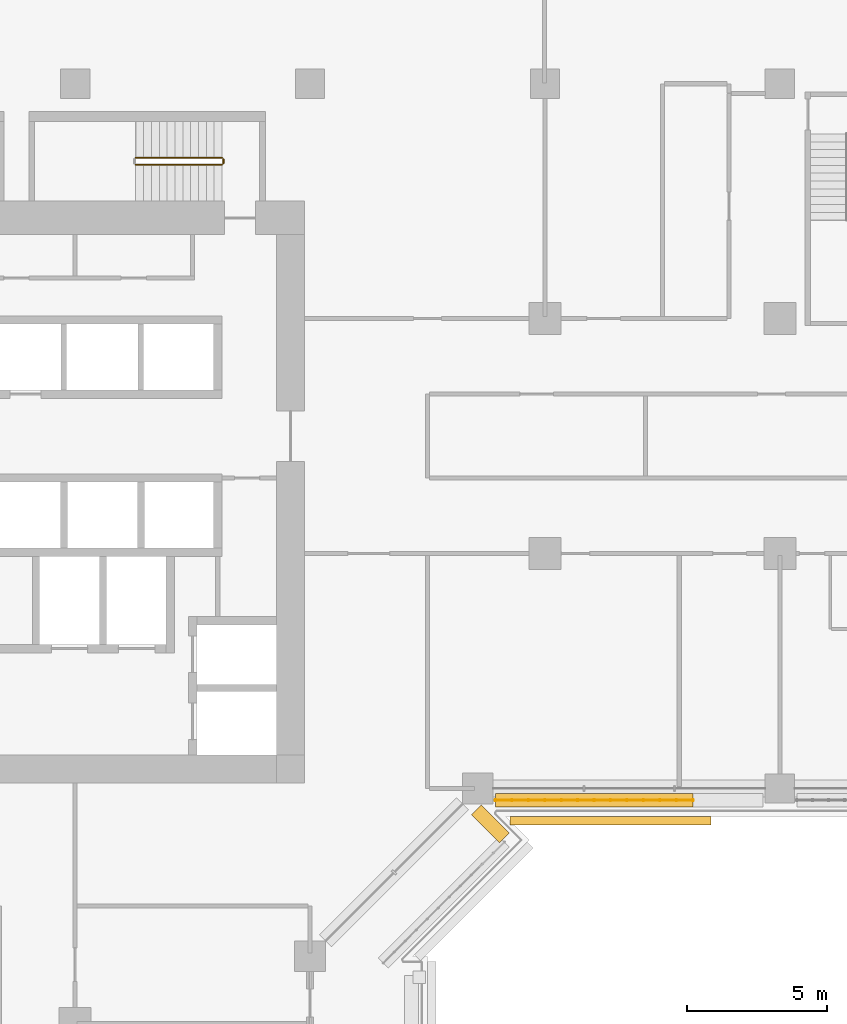
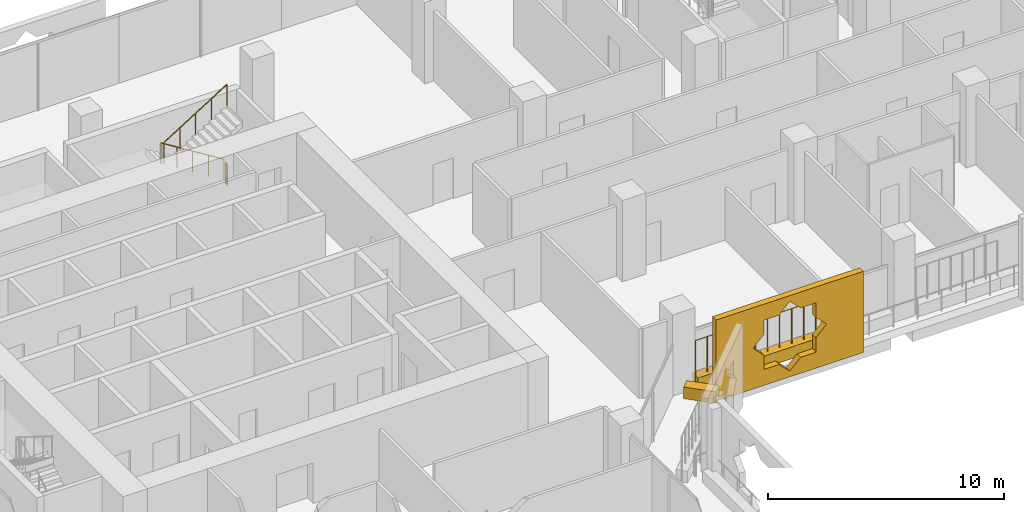
# One storey, part 22 of 25: 4 railings, 3 coverings.
"""IFC4 building model written with IfcOpenShell, lengths in metres."""

from ifc_helpers import new_model, si_unit, direction, frame, origin, origin_2d, place, context, subcontext, project, spatial, polyline, rectangle, circle, outline, extrude, material, material_profile, profile_set, type_object, element, save


model = new_model("IFC4")

# Units and contexts
model_context = context("Model", 3, precision=1e-05, world=origin(), true_north=direction((0.0, 1.0)))
body_context = subcontext(model_context, "Body", "Model", "MODEL_VIEW")
ifc_project = project(units=[si_unit("LENGTHUNIT", "METRE"), si_unit("AREAUNIT", "SQUARE_METRE"), si_unit("VOLUMEUNIT", "CUBIC_METRE"), si_unit("PLANEANGLEUNIT", "RADIAN"), si_unit("MASSUNIT", "GRAM", prefix="KILO")], contexts=[model_context])

# Site, building, storey
site_placement = place(None, origin())
site = spatial("IfcSite", under=ifc_project, at=site_placement, CompositionType="ELEMENT")
building_placement = place(site_placement, origin())
building = spatial("IfcBuilding", under=site, at=building_placement, Name="Kawkab Arch Medical Tower", CompositionType="ELEMENT")
storey_placement = place(building_placement, frame((0.0, 0.0, 145.0)))
storey = spatial("IfcBuildingStorey", under=building, at=storey_placement, Name="L33", CompositionType="ELEMENT", Elevation=145.0)

# Coverings
ifc_material_1 = material(Name="Bronze anodised aluminium mashrabiya panel, eight-point star pattern", Category="aluminium")
ifc_material_profile_1 = material_profile(ifc_material_1, outline(polyline([(-3.60009765625, -2.10009765625), (3.60009765625, -2.10009765625), (3.60009765625, 2.10009765625), (-3.60009765625, 2.10009765625), (-3.60009765625, -2.10009765625)]), holes=[polyline([(1.800048828125, 0.0), (1.272705078125, 0.527099609375), (1.272705078125, 1.272705078125), (0.527099609375, 1.272705078125), (0.0, 1.800048828125), (-0.527099609375, 1.272705078125), (-1.272705078125, 1.272705078125), (-1.272705078125, 0.527099609375), (-1.800048828125, 0.0), (-1.272705078125, -0.527099609375), (-1.272705078125, -1.272705078125), (-0.527099609375, -1.272705078125), (0.0, -1.800048828125), (0.527099609375, -1.272705078125), (1.272705078125, -1.272705078125), (1.272705078125, -0.527099609375), (1.800048828125, 0.0)])]), Name="Mashrabiya panel 7200x4200")
ifc_profile_set_1 = profile_set([ifc_material_profile_1], Name="Bronze anodised aluminium mashrabiya panel, eight-point star pattern")
covering_type_1 = type_object("IfcCoveringType", Name="Mashrabiya panel 7200 x 4200", PredefinedType="USERDEFINED", material=ifc_profile_set_1)
covering_1_placement = place(storey_placement, frame((35.944580078125, -26.199951171875, 1.699951171875), z_axis=(0.0, -1.0, 0.0), x_axis=(1.0, 0.0, 0.0)))
element("IfcCovering", 1, at=covering_1_placement, inside=storey, type_object=covering_type_1, Name="Mashrabiya panel L33.LOG-01-01.13", ObjectType="SCREEN", PredefinedType="USERDEFINED", context=body_context, shape_type="SweptSolid", body=[
    extrude(outline(polyline([(-3.60009765625, -2.10009765625), (3.60009765625, -2.10009765625), (3.60009765625, 2.10009765625), (-3.60009765625, 2.10009765625), (-3.60009765625, -2.10009765625)]), holes=[polyline([(1.800048828125, 0.0), (1.272705078125, 0.527099609375), (1.272705078125, 1.272705078125), (0.527099609375, 1.272705078125), (0.0, 1.800048828125), (-0.527099609375, 1.272705078125), (-1.272705078125, 1.272705078125), (-1.272705078125, 0.527099609375), (-1.800048828125, 0.0), (-1.272705078125, -0.527099609375), (-1.272705078125, -1.272705078125), (-0.527099609375, -1.272705078125), (0.0, -1.800048828125), (0.527099609375, -1.272705078125), (1.272705078125, -1.272705078125), (1.272705078125, -0.527099609375), (1.800048828125, 0.0)])]), origin(), (0.0, 0.0, 1.0), 0.300048828125),
])
ifc_material_2 = material(Name="Planting soil in a precast trough", Category="concrete")
ifc_material_profile_2 = material_profile(ifc_material_2, rectangle(XDim=0.5, YDim=0.60009765625, at=origin_2d()), Name="Trough 500x600")
ifc_profile_set_2 = profile_set([ifc_material_profile_2], Name="Planting soil in a precast trough")
covering_type_2 = type_object("IfcCoveringType", Name="Planter trough 500 x 600", PredefinedType="USERDEFINED", material=ifc_profile_set_2)
covering_2_placement = place(storey_placement, frame((38.89306640625, -25.6201171875, 0.300048828125), z_axis=(-1.0, 0.0, 0.0), x_axis=(0.0, -1.0, 0.0)))
element("IfcCovering", 2, at=covering_2_placement, inside=storey, type_object=covering_type_2, Name="Planter L33.LOG-01-01.41", ObjectType="PLANTER", PredefinedType="USERDEFINED", context=body_context, shape_type="SweptSolid", body=[
    extrude(rectangle(XDim=0.5, YDim=0.60009765625, at=origin_2d()), origin(), (0.0, 0.0, 1.0), 7.06298828125),
])
covering_3_placement = place(storey_placement, frame((31.14306640625, -25.962890625, 0.300048828125), z_axis=(0.707020805532, -0.707192746389, 0.0), x_axis=(0.707192746389, 0.707020805532, 0.0)))
element("IfcCovering", 3, at=covering_3_placement, inside=storey, type_object=covering_type_2, Name="Planter L33.LOG-01-01.42", ObjectType="PLANTER", PredefinedType="USERDEFINED", context=body_context, shape_type="SweptSolid", body=[
    extrude(rectangle(XDim=0.5, YDim=0.60009765625, at=origin_2d()), origin(), (0.0, 0.0, 1.0), 1.419921875),
])

# Railings
ifc_material_3 = material(Name="Bronze anodised aluminium trellis for climbing plants", Category="aluminium")
railing_type_1 = type_object("IfcRailingType", Name="Planting trellis 2400", PredefinedType="USERDEFINED", material=ifc_material_3)
railing_1_placement = place(storey_placement, frame((38.89306640625, -25.6201171875, 0.0)))
element("IfcRailing", 4, at=railing_1_placement, inside=storey, type_object=railing_type_1, Name="Planting trellis L33.LOG-01-01.41", ObjectType="TRELLIS", PredefinedType="USERDEFINED", context=body_context, shape_type="SweptSolid", body=[
    extrude(circle(Radius=0.01513671875, at=origin_2d()), frame((0.0, 0.0, 2.384765625), z_axis=(-1.0, 0.0, 0.0), x_axis=(0.0, -1.0, 0.0)), (0.0, 0.0, 1.0), 7.06298828125),
    extrude(circle(Radius=0.030029296875, at=origin_2d()), origin(), (0.0, 0.0, 1.0), 2.369873046875),
    extrude(circle(Radius=0.030029296875, at=origin_2d()), frame((-0.588623046875, 0.0, 0.0)), (0.0, 0.0, 1.0), 2.369873046875),
    extrude(circle(Radius=0.030029296875, at=origin_2d()), frame((-1.17724609375, 0.0, 0.0)), (0.0, 0.0, 1.0), 2.369873046875),
    extrude(circle(Radius=0.030029296875, at=origin_2d()), frame((-1.765625, 0.0, 0.0)), (0.0, 0.0, 1.0), 2.369873046875),
    extrude(circle(Radius=0.030029296875, at=origin_2d()), frame((-2.354248046875, 0.0, 0.0)), (0.0, 0.0, 1.0), 2.369873046875),
    extrude(circle(Radius=0.030029296875, at=origin_2d()), frame((-2.94287109375, 0.0, 0.0)), (0.0, 0.0, 1.0), 2.369873046875),
    extrude(circle(Radius=0.030029296875, at=origin_2d()), frame((-3.531494140625, 0.0, 0.0)), (0.0, 0.0, 1.0), 2.369873046875),
    extrude(circle(Radius=0.030029296875, at=origin_2d()), frame((-4.1201171875, 0.0, 0.0)), (0.0, 0.0, 1.0), 2.369873046875),
    extrude(circle(Radius=0.030029296875, at=origin_2d()), frame((-4.708740234375, 0.0, 0.0)), (0.0, 0.0, 1.0), 2.369873046875),
    extrude(circle(Radius=0.030029296875, at=origin_2d()), frame((-5.29736328125, 0.0, 0.0)), (0.0, 0.0, 1.0), 2.369873046875),
    extrude(circle(Radius=0.030029296875, at=origin_2d()), frame((-5.8857421875, 0.0, 0.0)), (0.0, 0.0, 1.0), 2.369873046875),
    extrude(circle(Radius=0.030029296875, at=origin_2d()), frame((-6.474365234375, 0.0, 0.0)), (0.0, 0.0, 1.0), 2.369873046875),
    extrude(circle(Radius=0.030029296875, at=origin_2d()), frame((-7.06298828125, 0.0, 0.0)), (0.0, 0.0, 1.0), 2.369873046875),
])
ifc_material_4 = material(Name="Stainless steel", Category="steel")
railing_type_2 = type_object("IfcRailingType", Name="Stair guard 1100", PredefinedType="GUARDRAIL", material=ifc_material_4)
railing_2_placement = place(storey_placement, frame((22.050048828125, -2.64990234375, 0.175048828125)))
element("IfcRailing", 5, at=railing_2_placement, inside=storey, type_object=railing_type_2, Name="L33 ST4 stair guard 1", PredefinedType="GUARDRAIL", context=body_context, shape_type="SweptSolid", body=[
    extrude(circle(Radius=0.02392578125, at=origin_2d()), frame((0.0, 0.0, 1.076171875), z_axis=(-0.847998304005, 0.0, 0.529998940003), x_axis=(0.0, -1.0, 0.0)), (0.0, 0.0, 1.0), 3.632080078125),
    extrude(circle(Radius=0.02099609375, at=origin_2d()), origin(), (0.0, 0.0, 1.0), 1.052001953125),
    extrude(circle(Radius=0.02099609375, at=origin_2d()), frame((-0.77001953125, 0.0, 0.481201171875)), (0.0, 0.0, 1.0), 1.052001953125),
    extrude(circle(Radius=0.02099609375, at=origin_2d()), frame((-1.5400390625, 0.0, 0.96240234375)), (0.0, 0.0, 1.0), 1.052001953125),
    extrude(circle(Radius=0.02099609375, at=origin_2d()), frame((-2.31005859375, 0.0, 1.44384765625)), (0.0, 0.0, 1.0), 1.052001953125),
    extrude(circle(Radius=0.02099609375, at=origin_2d()), frame((-3.080078125, 0.0, 1.925048828125)), (0.0, 0.0, 1.0), 1.052001953125),
])
railing_3_placement = place(storey_placement, frame((18.969970703125, -2.89990234375, 2.27490234375)))
element("IfcRailing", 6, at=railing_3_placement, inside=storey, type_object=railing_type_2, Name="L33 ST4 stair guard 3", PredefinedType="GUARDRAIL", context=body_context, shape_type="SweptSolid", body=[
    extrude(circle(Radius=0.02392578125, at=origin_2d()), frame((0.0, 0.0, 1.076171875), z_axis=(0.847998304005, 0.0, 0.529998940003), x_axis=(0.0, 1.0, 0.0)), (0.0, 0.0, 1.0), 3.632080078125),
    extrude(circle(Radius=0.02099609375, at=origin_2d()), origin(), (0.0, 0.0, 1.0), 1.052001953125),
    extrude(circle(Radius=0.02099609375, at=origin_2d()), frame((0.77001953125, 0.0, 0.481201171875)), (0.0, 0.0, 1.0), 1.052001953125),
    extrude(circle(Radius=0.02099609375, at=origin_2d()), frame((1.5400390625, 0.0, 0.96240234375)), (0.0, 0.0, 1.0), 1.052001953125),
    extrude(circle(Radius=0.02099609375, at=origin_2d()), frame((2.31005859375, 0.0, 1.44384765625)), (0.0, 0.0, 1.0), 1.052001953125),
    extrude(circle(Radius=0.02099609375, at=origin_2d()), frame((3.080078125, 0.0, 1.925048828125)), (0.0, 0.0, 1.0), 1.052001953125),
])
railing_4_placement = place(storey_placement, frame((22.10009765625, -2.699951171875, 0.0)))
element("IfcRailing", 7, at=railing_4_placement, inside=storey, type_object=railing_type_2, Name="L33 ST4 stair guard 4", PredefinedType="GUARDRAIL", context=body_context, shape_type="SweptSolid", body=[
    extrude(circle(Radius=0.02392578125, at=origin_2d()), frame((0.0, 0.0, 1.076171875), z_axis=(0.0, -1.0, 0.0), x_axis=(1.0, 0.0, 0.0)), (0.0, 0.0, 1.0), 0.150146484375),
    extrude(circle(Radius=0.02099609375, at=origin_2d()), origin(), (0.0, 0.0, 1.0), 1.052001953125),
    extrude(circle(Radius=0.02099609375, at=origin_2d()), frame((0.0, -0.150146484375, 0.0)), (0.0, 0.0, 1.0), 1.052001953125),
])

save(model, "model.ifc")
